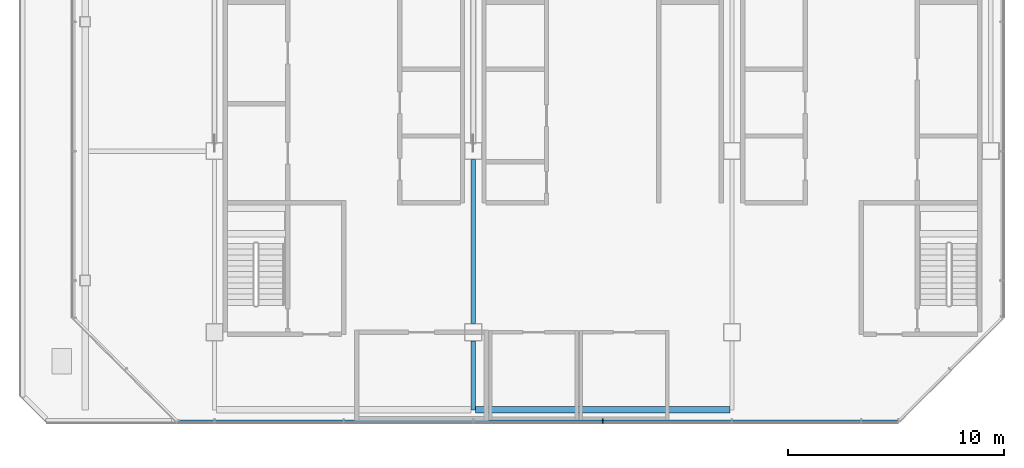
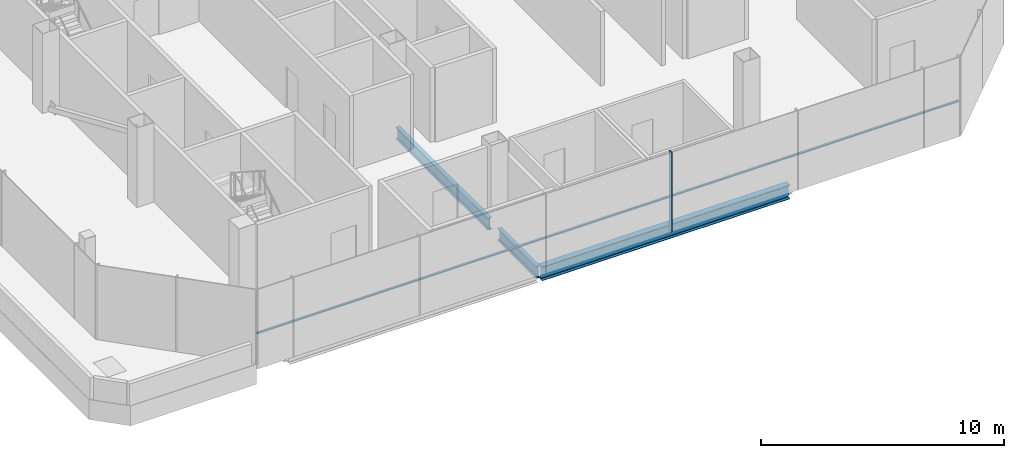
# One storey, part 3 of 11: 3 beams, 2 members, 1 element without a shape of its own.
"""IFC4 building model written with IfcOpenShell, lengths in metres."""

from ifc_helpers import new_model, si_unit, direction, frame, origin, origin_2d, place, context, subcontext, project, spatial, rectangle, i_section, extrude, material, material_profile, profile_set, type_object, element, aggregate, save


model = new_model("IFC4")

# Units and contexts
model_context = context("Model", 3, precision=1e-05, world=origin(), true_north=direction((0.0, 1.0)))
body_context = subcontext(model_context, "Body", "Model", "MODEL_VIEW")
ifc_project = project(units=[si_unit("LENGTHUNIT", "METRE"), si_unit("AREAUNIT", "SQUARE_METRE"), si_unit("VOLUMEUNIT", "CUBIC_METRE"), si_unit("PLANEANGLEUNIT", "RADIAN"), si_unit("MASSUNIT", "GRAM", prefix="KILO")], contexts=[model_context])

# Site, building, storey
site_placement = place(None, origin())
site = spatial("IfcSite", under=ifc_project, at=site_placement, CompositionType="ELEMENT")
building_placement = place(site_placement, origin())
building = spatial("IfcBuilding", under=site, at=building_placement, Name="Sorahane Residences", CompositionType="ELEMENT")
storey_placement = place(building_placement, frame((0.0, 0.0, 349.800048828125)))
storey = spatial("IfcBuildingStorey", under=building, at=storey_placement, Name="L83", CompositionType="ELEMENT", Elevation=349.800048828125)

# Curtain wall, members
ifc_material_1 = material(Name="Dark low-e glass and black anodised aluminium", Category="aluminium")
curtain_wall_type = type_object("IfcCurtainWallType", Name="Curtain wall CW-6 Crown unitised wall", PredefinedType="NOTDEFINED", material=ifc_material_1)
curtain_wall_placement = place(storey_placement, origin())
curtain_wall = element("IfcCurtainWall", 1, at=curtain_wall_placement, inside=storey, type_object=curtain_wall_type, Name="CW-6 curtain wall L83 S1", PredefinedType="NOTDEFINED")
ifc_material_2 = material(Name="Black anodised aluminium", Category="aluminium")
ifc_material_profile_1 = material_profile(ifc_material_2, rectangle(XDim=0.199951171875, YDim=0.050048828125, at=origin_2d()), Name="Curtain wall mullion CW-6 black anodised aluminium 50x200")
ifc_profile_set_1 = profile_set([ifc_material_profile_1], Name="Black anodised aluminium")
member_type_1 = type_object("IfcMemberType", Name="Curtain wall mullion CW-6 black anodised aluminium 50x200", PredefinedType="MULLION", material=ifc_profile_set_1)
member_1_placement = place(storey_placement, frame((24.0, 17.47998046875, -0.25), z_axis=(0.0, 0.0, 1.0), x_axis=(0.0, -1.0, 0.0)))
member_1 = element("IfcMember", 2, at=member_1_placement, type_object=member_type_1, Name="CW-6 mullion L83 S1.5", PredefinedType="MULLION", context=body_context, shape_type="SweptSolid", body=[
    extrude(rectangle(XDim=0.199951171875, YDim=0.050048828125, at=origin_2d()), origin(), (0.0, 0.0, 1.0), 4.0),
])
ifc_material_3 = material(Name="Black anodised aluminium", Category="aluminium")
ifc_material_profile_2 = material_profile(ifc_material_3, rectangle(XDim=0.10009765625, YDim=0.06005859375, at=origin_2d()), Name="Curtain wall transom CW-6 black anodised aluminium 60x100")
ifc_profile_set_2 = profile_set([ifc_material_profile_2], Name="Black anodised aluminium")
member_type_2 = type_object("IfcMemberType", Name="Curtain wall transom CW-6 black anodised aluminium 60x100", PredefinedType="USERDEFINED", material=ifc_profile_set_2)
member_2_placement = place(storey_placement, frame((4.301513671875, 17.469970703125, 1.5), z_axis=(1.0, 0.0, 0.0), x_axis=(0.0, 1.0, 0.0)))
member_2 = element("IfcMember", 3, at=member_2_placement, type_object=member_type_2, Name="CW-6 transom L83 S1", ObjectType="TRANSOM", PredefinedType="USERDEFINED", context=body_context, shape_type="SweptSolid", body=[
    extrude(rectangle(XDim=0.10009765625, YDim=0.06005859375, at=origin_2d()), origin(), (0.0, 0.0, 1.0), 33.39697265625),
])
aggregate(curtain_wall, [member_1, member_2])

# Beams
ifc_material_4 = material(Name="Steel Q355B", Category="steel")
ifc_material_profile_3 = material_profile(ifc_material_4, i_section(OverallWidth=0.199951171875, OverallDepth=0.60009765625, WebThickness=0.010986328125, FlangeThickness=0.01708984375, FilletRadius=0.02392578125, at=origin_2d()), Name="HN 600x200x11x17")
ifc_profile_set_3 = profile_set([ifc_material_profile_3], Name="Steel Q355B")
beam_type_1 = type_object("IfcBeamType", Name="Steel floor beam HN 600x200x11x17 Q355B", PredefinedType="BEAM", material=ifc_profile_set_3)
beam_1_placement = place(storey_placement, frame((18.0, 22.0, -0.550048828125), z_axis=(0.0, 1.0, 0.0), x_axis=(-1.0, 0.0, 0.0)))
element("IfcBeam", 4, at=beam_1_placement, inside=storey, type_object=beam_type_1, Name="Beam L83 013", PredefinedType="BEAM", context=body_context, shape_type="SweptSolid", body=[
    extrude(i_section(OverallWidth=0.199951171875, OverallDepth=0.60009765625, WebThickness=0.010986328125, FlangeThickness=0.01708984375, FilletRadius=0.02392578125, at=origin_2d()), origin(), (0.0, 0.0, 1.0), 7.60009765625),
])
beam_2_placement = place(storey_placement, frame((18.0, 18.0, -0.550048828125), z_axis=(0.0, 1.0, 0.0), x_axis=(-1.0, 0.0, 0.0)))
element("IfcBeam", 5, at=beam_2_placement, inside=storey, type_object=beam_type_1, Name="Beam L83 017", PredefinedType="BEAM", context=body_context, shape_type="SweptSolid", body=[
    extrude(i_section(OverallWidth=0.199951171875, OverallDepth=0.60009765625, WebThickness=0.010986328125, FlangeThickness=0.01708984375, FilletRadius=0.02392578125, at=origin_2d()), origin(), (0.0, 0.0, 1.0), 3.199951171875),
])
ifc_material_5 = material(Name="Steel Q355B", Category="steel")
ifc_material_profile_4 = material_profile(ifc_material_5, i_section(OverallWidth=0.300048828125, OverallDepth=0.699951171875, WebThickness=0.012939453125, FlangeThickness=0.02392578125, FilletRadius=0.028076171875, at=origin_2d()), Name="HN 700x300x13x24")
ifc_profile_set_4 = profile_set([ifc_material_profile_4], Name="Steel Q355B")
beam_type_2 = type_object("IfcBeamType", Name="Steel floor beam HN 700x300x13x24 Q355B", PredefinedType="BEAM", material=ifc_profile_set_4)
beam_3_placement = place(storey_placement, frame((18.10009765625, 18.0, -0.60009765625), z_axis=(1.0, 0.0, 0.0), x_axis=(0.0, 1.0, 0.0)))
element("IfcBeam", 6, at=beam_3_placement, inside=storey, type_object=beam_type_2, Name="Beam L83 028", PredefinedType="BEAM", context=body_context, shape_type="SweptSolid", body=[
    extrude(i_section(OverallWidth=0.300048828125, OverallDepth=0.699951171875, WebThickness=0.012939453125, FlangeThickness=0.02392578125, FilletRadius=0.028076171875, at=origin_2d()), origin(), (0.0, 0.0, 1.0), 11.7998046875),
])

save(model, "model.ifc")
